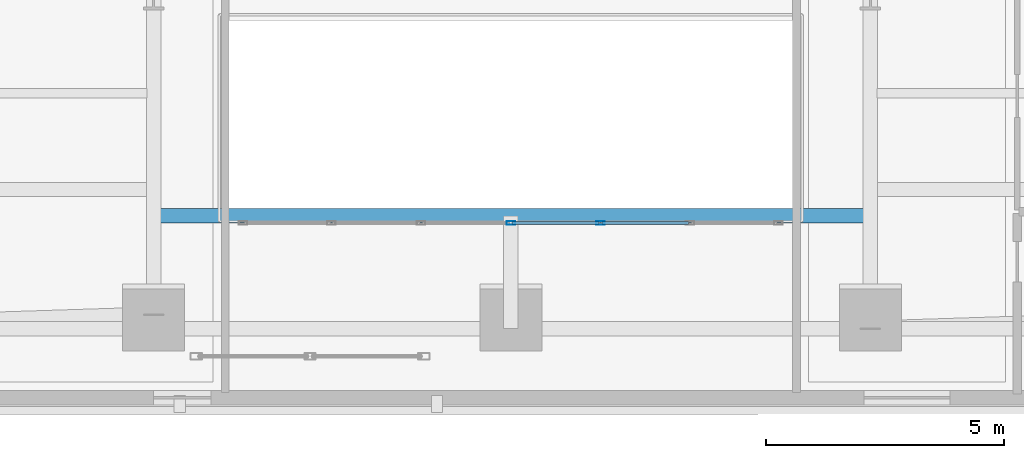
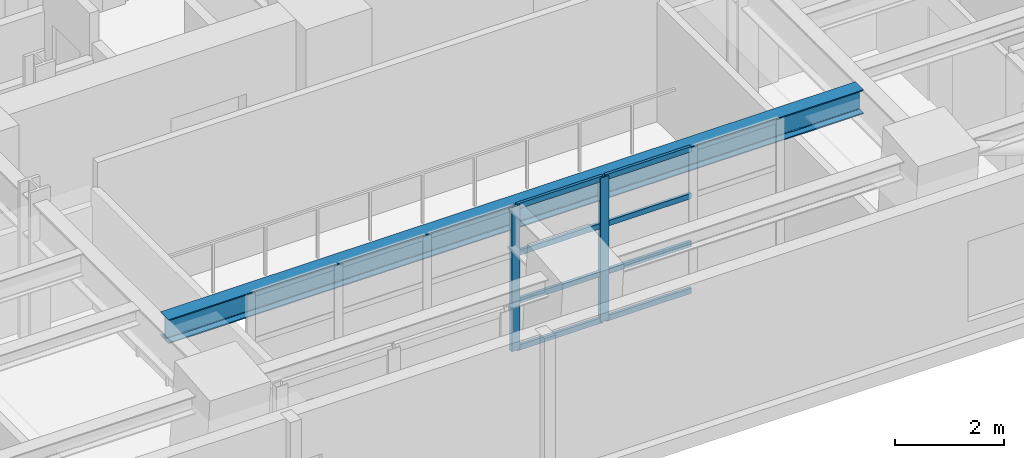
# One storey, part 3 of 16: 10 members, 1 beam, 1 element without a shape of its own.
"""IFC4 building model written with IfcOpenShell, lengths in metres."""

from ifc_helpers import new_model, si_unit, direction, frame, origin, origin_2d, place, context, subcontext, project, spatial, hollow_rectangle, i_section, extrude, material, layer, layer_set, material_profile, profile_set, type_object, element, aggregate, save


model = new_model("IFC4")

# Units and contexts
model_context = context("Model", 3, precision=1e-05, world=origin(), true_north=direction((0.0, 1.0)))
body_context = subcontext(model_context, "Body", "Model", "MODEL_VIEW")
ifc_project = project(units=[si_unit("LENGTHUNIT", "METRE"), si_unit("AREAUNIT", "SQUARE_METRE"), si_unit("VOLUMEUNIT", "CUBIC_METRE"), si_unit("PLANEANGLEUNIT", "RADIAN"), si_unit("MASSUNIT", "GRAM", prefix="KILO")], contexts=[model_context])

# Site, building, storey
site_placement = place(None, origin())
site = spatial("IfcSite", under=ifc_project, at=site_placement, CompositionType="ELEMENT")
building_placement = place(site_placement, origin())
building = spatial("IfcBuilding", under=site, at=building_placement, Name="Zarnavel Station Tower", CompositionType="ELEMENT")
storey_placement = place(building_placement, frame((0.0, 0.0, 82.800048828125)))
storey = spatial("IfcBuildingStorey", under=building, at=storey_placement, Name="L22", CompositionType="ELEMENT", Elevation=82.800048828125)

# Curtain wall, members
ifc_material_1 = material(Name="Aluminium Dark Anodised and Solar-Control Glass", Category="aluminium")
ifc_layer = layer(ifc_material_1, 0.179931640625)
ifc_layer_set = layer_set([ifc_layer], Name="CWS3")
curtain_wall_type = type_object("IfcCurtainWallType", Name="CWS3", PredefinedType="NOTDEFINED", material=ifc_layer_set)
curtain_wall_placement = place(storey_placement, origin())
curtain_wall = element("IfcCurtainWall", 1, at=curtain_wall_placement, inside=storey, type_object=curtain_wall_type, Name="L22 Curtain Wall CWS3-L22-AS", PredefinedType="NOTDEFINED")
ifc_material_2 = material(Name="Steel S355J2 (Black Fluoropolymer Coated)", Category="steel")
ifc_material_profile_1 = material_profile(ifc_material_2, hollow_rectangle(XDim=0.080078125, YDim=0.179931640625, WallThickness=0.00634765625, at=origin_2d()), Name="RHS180x80x6.3")
ifc_profile_set_1 = profile_set([ifc_material_profile_1], Name="Steel S355J2 (Black Fluoropolymer Coated)")
member_type_1 = type_object("IfcMemberType", Name="CWS3_MUL", PredefinedType="MULLION", material=ifc_profile_set_1)
member_1_placement = place(storey_placement, frame((28.800048828125, 20.64990234375, 0.0), z_axis=(0.0, 0.0, 1.0), x_axis=(0.0, 1.0, 0.0)))
member_1 = element("IfcMember", 2, at=member_1_placement, type_object=member_type_1, Name="CW3 mullion 4", PredefinedType="MULLION", context=body_context, shape_type="SweptSolid", body=[
    extrude(hollow_rectangle(XDim=0.080078125, YDim=0.179931640625, WallThickness=0.00634765625, at=origin_2d()), origin(), (0.0, 0.0, 1.0), 3.239990234375),
])
member_2_placement = place(storey_placement, frame((30.683349609375, 20.64990234375, 0.0), z_axis=(0.0, 0.0, 1.0), x_axis=(0.0, 1.0, 0.0)))
member_2 = element("IfcMember", 3, at=member_2_placement, type_object=member_type_1, Name="CW3 mullion 5", PredefinedType="MULLION", context=body_context, shape_type="SweptSolid", body=[
    extrude(hollow_rectangle(XDim=0.080078125, YDim=0.179931640625, WallThickness=0.00634765625, at=origin_2d()), origin(), (0.0, 0.0, 1.0), 3.239990234375),
])
ifc_material_3 = material(Name="Steel S355J2 (Black Fluoropolymer Coated)", Category="steel")
ifc_material_profile_2 = material_profile(ifc_material_3, hollow_rectangle(XDim=0.06005859375, YDim=0.1201171875, WallThickness=0.0048828125, at=origin_2d()), Name="RHS120x60x5")
ifc_profile_set_2 = profile_set([ifc_material_profile_2], Name="Steel S355J2 (Black Fluoropolymer Coated)")
member_type_2 = type_object("IfcMemberType", Name="CWS3_TRN", PredefinedType="USERDEFINED", material=ifc_profile_set_2)
member_3_placement = place(storey_placement, frame((28.830078125, 20.64990234375, 0.030029296875), z_axis=(1.0, 0.0, 0.0), x_axis=(0.0, 1.0, 0.0)))
member_3 = element("IfcMember", 4, at=member_3_placement, type_object=member_type_2, Name="CW3 transom 4.1", ObjectType="TRANSOM", PredefinedType="USERDEFINED", context=body_context, shape_type="SweptSolid", body=[
    extrude(hollow_rectangle(XDim=0.06005859375, YDim=0.1201171875, WallThickness=0.0048828125, at=origin_2d()), origin(), (0.0, 0.0, 1.0), 1.8232421875),
])
member_4_placement = place(storey_placement, frame((28.830078125, 20.64990234375, 1.079833984375), z_axis=(1.0, 0.0, 0.0), x_axis=(0.0, 1.0, 0.0)))
member_4 = element("IfcMember", 5, at=member_4_placement, type_object=member_type_2, Name="CW3 transom 4.2", ObjectType="TRANSOM", PredefinedType="USERDEFINED", context=body_context, shape_type="SweptSolid", body=[
    extrude(hollow_rectangle(XDim=0.06005859375, YDim=0.1201171875, WallThickness=0.0048828125, at=origin_2d()), origin(), (0.0, 0.0, 1.0), 1.8232421875),
])
member_5_placement = place(storey_placement, frame((28.830078125, 20.64990234375, 2.159912109375), z_axis=(1.0, 0.0, 0.0), x_axis=(0.0, 1.0, 0.0)))
member_5 = element("IfcMember", 6, at=member_5_placement, type_object=member_type_2, Name="CW3 transom 4.3", ObjectType="TRANSOM", PredefinedType="USERDEFINED", context=body_context, shape_type="SweptSolid", body=[
    extrude(hollow_rectangle(XDim=0.06005859375, YDim=0.1201171875, WallThickness=0.0048828125, at=origin_2d()), origin(), (0.0, 0.0, 1.0), 1.8232421875),
])
member_6_placement = place(storey_placement, frame((28.830078125, 20.64990234375, 3.2099609375), z_axis=(1.0, 0.0, 0.0), x_axis=(0.0, 1.0, 0.0)))
member_6 = element("IfcMember", 7, at=member_6_placement, type_object=member_type_2, Name="CW3 transom 4.4", ObjectType="TRANSOM", PredefinedType="USERDEFINED", context=body_context, shape_type="SweptSolid", body=[
    extrude(hollow_rectangle(XDim=0.06005859375, YDim=0.1201171875, WallThickness=0.0048828125, at=origin_2d()), origin(), (0.0, 0.0, 1.0), 1.8232421875),
])
member_7_placement = place(storey_placement, frame((30.71337890625, 20.64990234375, 0.030029296875), z_axis=(1.0, 0.0, 0.0), x_axis=(0.0, 1.0, 0.0)))
member_7 = element("IfcMember", 8, at=member_7_placement, type_object=member_type_2, Name="CW3 transom 5.1", ObjectType="TRANSOM", PredefinedType="USERDEFINED", context=body_context, shape_type="SweptSolid", body=[
    extrude(hollow_rectangle(XDim=0.06005859375, YDim=0.1201171875, WallThickness=0.0048828125, at=origin_2d()), origin(), (0.0, 0.0, 1.0), 1.8232421875),
])
member_8_placement = place(storey_placement, frame((30.71337890625, 20.64990234375, 1.079833984375), z_axis=(1.0, 0.0, 0.0), x_axis=(0.0, 1.0, 0.0)))
member_8 = element("IfcMember", 9, at=member_8_placement, type_object=member_type_2, Name="CW3 transom 5.2", ObjectType="TRANSOM", PredefinedType="USERDEFINED", context=body_context, shape_type="SweptSolid", body=[
    extrude(hollow_rectangle(XDim=0.06005859375, YDim=0.1201171875, WallThickness=0.0048828125, at=origin_2d()), origin(), (0.0, 0.0, 1.0), 1.8232421875),
])
member_9_placement = place(storey_placement, frame((30.71337890625, 20.64990234375, 2.159912109375), z_axis=(1.0, 0.0, 0.0), x_axis=(0.0, 1.0, 0.0)))
member_9 = element("IfcMember", 10, at=member_9_placement, type_object=member_type_2, Name="CW3 transom 5.3", ObjectType="TRANSOM", PredefinedType="USERDEFINED", context=body_context, shape_type="SweptSolid", body=[
    extrude(hollow_rectangle(XDim=0.06005859375, YDim=0.1201171875, WallThickness=0.0048828125, at=origin_2d()), origin(), (0.0, 0.0, 1.0), 1.8232421875),
])
member_10_placement = place(storey_placement, frame((30.71337890625, 20.64990234375, 3.2099609375), z_axis=(1.0, 0.0, 0.0), x_axis=(0.0, 1.0, 0.0)))
member_10 = element("IfcMember", 11, at=member_10_placement, type_object=member_type_2, Name="CW3 transom 5.4", ObjectType="TRANSOM", PredefinedType="USERDEFINED", context=body_context, shape_type="SweptSolid", body=[
    extrude(hollow_rectangle(XDim=0.06005859375, YDim=0.1201171875, WallThickness=0.0048828125, at=origin_2d()), origin(), (0.0, 0.0, 1.0), 1.8232421875),
])
aggregate(curtain_wall, [member_1, member_2, member_3, member_4, member_5, member_6, member_7, member_8, member_9, member_10])

# Beam
ifc_material_4 = material(Name="Steel S355J2", Category="steel")
ifc_material_profile_3 = material_profile(ifc_material_4, i_section(OverallWidth=0.300048828125, OverallDepth=0.5400390625, WebThickness=0.012451171875, FlangeThickness=0.02392578125, FilletRadius=0.027099609375, at=origin_2d()), Name="HEA550")
ifc_profile_set_3 = profile_set([ifc_material_profile_3], Name="Steel S355J2")
beam_type = type_object("IfcBeamType", Name="FB_HEA550", PredefinedType="BEAM", material=ifc_profile_set_3)
beam_placement = place(storey_placement, frame((21.445068359375, 20.800048828125, 2.969970703125), z_axis=(1.0, 0.0, 0.0), x_axis=(0.0, 1.0, 0.0)))
element("IfcBeam", 12, at=beam_placement, inside=storey, type_object=beam_type, Name="L22 Atrium South Edge Girder", PredefinedType="BEAM", context=body_context, shape_type="SweptSolid", body=[
    extrude(i_section(OverallWidth=0.300048828125, OverallDepth=0.5400390625, WebThickness=0.012451171875, FlangeThickness=0.02392578125, FilletRadius=0.027099609375, at=origin_2d()), origin(), (0.0, 0.0, 1.0), 14.760009765625),
])

save(model, "model.ifc")
